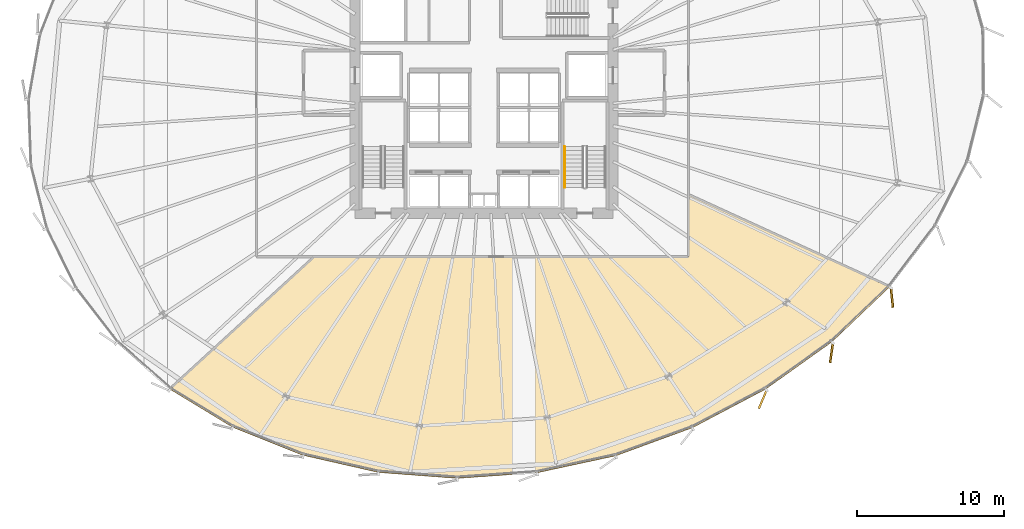
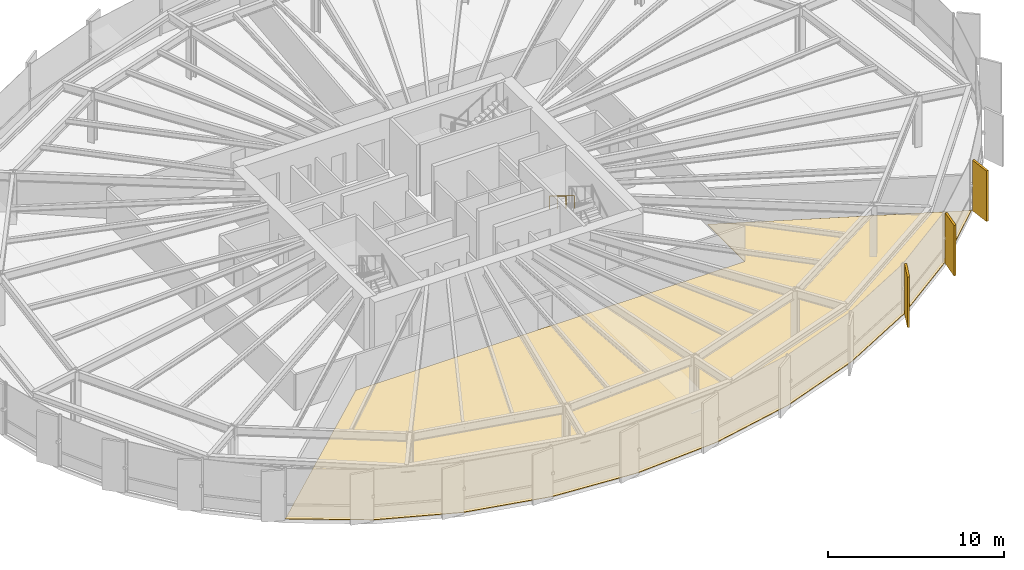
# One storey, part 36 of 38: 4 coverings, 1 railing.
"""IFC4 building model written with IfcOpenShell, lengths in metres."""

from ifc_helpers import new_model, si_unit, direction, frame, origin, origin_2d, place, context, subcontext, project, spatial, polyline, rectangle, circle, outline, extrude, source, transform, mapped, material, layer, layer_set, type_object, element, save


model = new_model("IFC4")

# Units and contexts
model_context = context("Model", 3, precision=1e-05, world=origin(), true_north=direction((0.0, 1.0)))
body_context = subcontext(model_context, "Body", "Model", "MODEL_VIEW")
ifc_project = project(units=[si_unit("LENGTHUNIT", "METRE"), si_unit("AREAUNIT", "SQUARE_METRE"), si_unit("VOLUMEUNIT", "CUBIC_METRE"), si_unit("PLANEANGLEUNIT", "RADIAN"), si_unit("MASSUNIT", "GRAM", prefix="KILO"), si_unit("THERMODYNAMICTEMPERATUREUNIT", "KELVIN")], contexts=[model_context])

# Site, building, storey
site_placement = place(None, origin())
site = spatial("IfcSite", under=ifc_project, at=site_placement, CompositionType="ELEMENT")
building_placement = place(site_placement, origin())
building = spatial("IfcBuilding", under=site, at=building_placement, Name="Kethvar Cultural Tower", CompositionType="ELEMENT")
storey_placement = place(building_placement, frame((0.0, 0.0, 63.800048828125)))
storey = spatial("IfcBuildingStorey", under=building, at=storey_placement, Name="L15", CompositionType="ELEMENT", Elevation=63.800048828125)

# Covering
ifc_material_1 = material(Name="Honed Warm Limestone", Category="masonry")
ifc_layer_1 = layer(ifc_material_1, 0.030029296875, Name="Honed Warm Limestone", Category="masonry")
ifc_layer_set_1 = layer_set([ifc_layer_1], Name="Honed Warm Limestone (30 mm)")
covering_type_1 = type_object("IfcCoveringType", Name="CV-STONE-FLOOR", PredefinedType="FLOORING", material=ifc_layer_set_1)
covering_placement = place(storey_placement, origin())
element("IfcCovering", 1, at=covering_placement, inside=storey, type_object=covering_type_1, Name="L15 Room 01 Floor Finish", PredefinedType="FLOORING", context=body_context, shape_type="SweptSolid", body=[
    extrude(outline(polyline([(74.44091796875, 15.065673828125), (70.51904296875, 11.32958984375), (65.974609375, 8.091796875), (61.007568359375, 5.4755859375), (55.779296875, 3.562255859375), (50.414306640625, 2.405029296875), (44.978759765625, 2.025146484375), (39.598388671875, 2.428466796875), (34.437255859375, 3.60302734375), (29.65185546875, 5.512939453125), (25.408935546875, 8.0869140625), (35.224365234375, 17.1201171875), (60.75390625, 17.120361328125), (60.77001953125, 21.35302734375), (74.44091796875, 15.065673828125)])), origin(), (0.0, 0.0, 1.0), 0.030029296875),
])

# Railing
ifc_material_2 = material(Name="Steel S355J2", Category="steel")
railing_type = type_object("IfcRailingType", Name="RL-STAIR-HANDRAIL", PredefinedType="HANDRAIL", material=ifc_material_2)
railing_placement = place(storey_placement, frame((52.300048828125, 24.64990234375, 2.07275390625)))
element("IfcRailing", 2, at=railing_placement, inside=storey, type_object=railing_type, Name="L15 ST-02 stair handrail 2", PredefinedType="HANDRAIL", context=body_context, shape_type="SweptSolid", body=[
    extrude(circle(Radius=0.02392578125, at=origin_2d()), frame((0.0, 0.0, 0.8759765625), z_axis=(0.0, -0.851069175582, 0.525053576669), x_axis=(1.0, 0.0, 0.0)), (0.0, 0.0, 1.0), 3.289794921875),
    extrude(circle(Radius=0.02099609375, at=origin_2d()), origin(), (0.0, 0.0, 1.0), 0.851806640625),
    extrude(circle(Radius=0.02099609375, at=origin_2d()), frame((0.0, -0.933349609375, 0.57568359375)), (0.0, 0.0, 1.0), 0.851806640625),
    extrude(circle(Radius=0.02099609375, at=origin_2d()), frame((0.0, -1.866455078125, 1.151611328125)), (0.0, 0.0, 1.0), 0.851806640625),
    extrude(circle(Radius=0.02099609375, at=origin_2d()), frame((0.0, -2.7998046875, 1.727294921875)), (0.0, 0.0, 1.0), 0.851806640625),
])

# Coverings
ifc_material_3 = material(Name="Extruded Architectural Terracotta", Category="masonry")
ifc_layer_2 = layer(ifc_material_3, 0.135009765625, Name="Extruded Architectural Terracotta", Category="masonry")
ifc_layer_set_2 = layer_set([ifc_layer_2], Name="Extruded Architectural Terracotta (135 mm)")
covering_type_2 = type_object("IfcCoveringType", Name="Terracotta Facade Fin FIN-01", PredefinedType="CLADDING", material=ifc_layer_set_2)
shared_shape = source(origin(), body_context, "Body", "SweptSolid", [
    extrude(rectangle(XDim=1.35009765625, YDim=0.135009765625, at=origin_2d()), origin(), (0.0, 0.0, 1.0), 3.510009765625),
])
for number, where, z_axis, x_axis, name in (
    (3, (65.80224609375, 7.41259765625, 0.02001953125), (0.0, 0.0, 1.0), (-0.390409787882, -0.920641188263, 0.0), "L15 Vertical Terracotta Fin 6.1"),
    (4, (70.49072265625, 10.588134765625, 0.02001953125), (0.0, 0.0, 1.0), (-0.142628933706, -0.989776230908, 0.0), "L15 Vertical Terracotta Fin 6.2"),
    (5, (74.611083984375, 14.351806640625, 0.02001953125), (0.0, 0.0, 1.0), (0.105916975449, -0.994374976712, 0.0), "L15 Vertical Terracotta Fin 6.3"),
):
    element("IfcCovering", number, at=place(storey_placement, frame(where, z_axis=z_axis, x_axis=x_axis)), inside=storey, type_object=covering_type_2, Name=name, PredefinedType="CLADDING", context=body_context, shape_type="MappedRepresentation", body=[
        mapped(shared_shape, transform((0.0, 0.0, 0.0), scale=1.0)),
    ])

save(model, "model.ifc")
